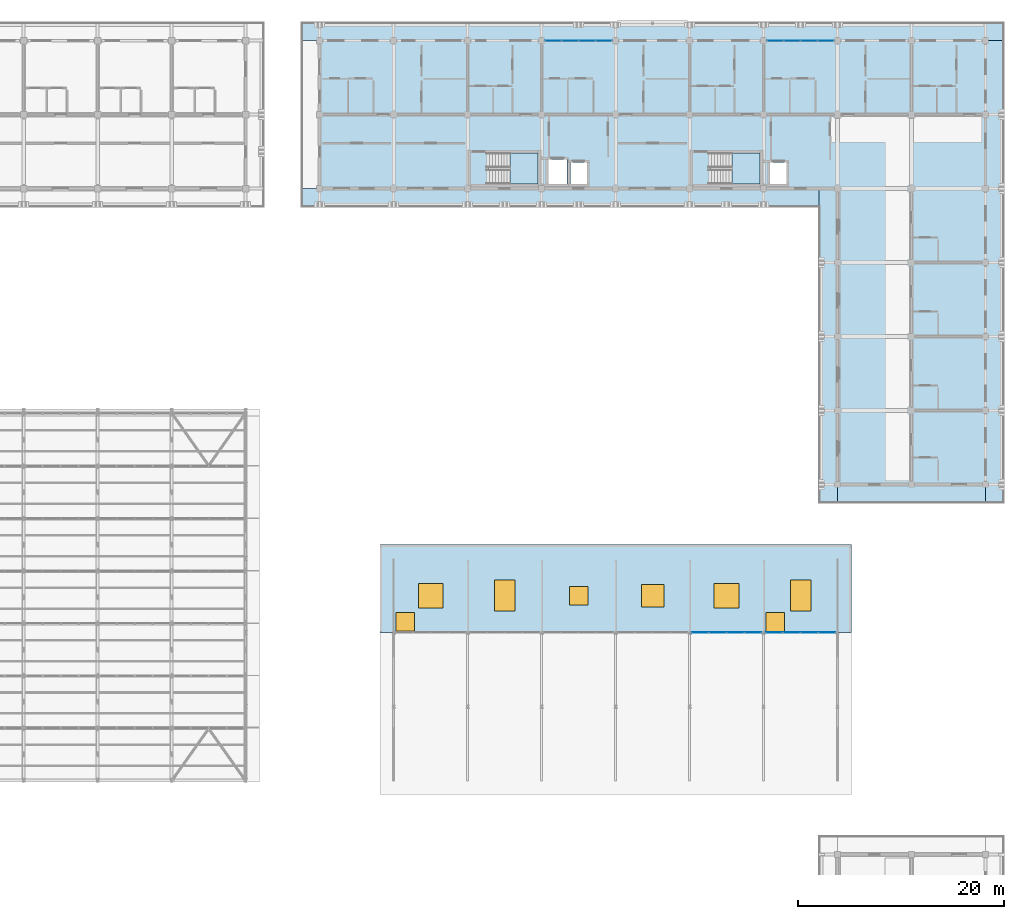
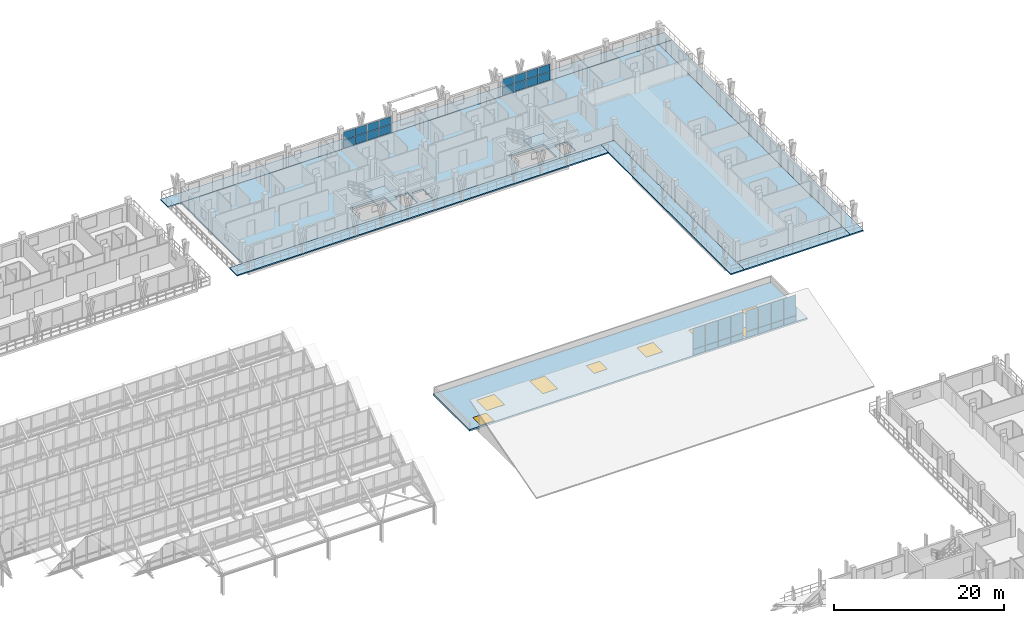
# One storey, part 106 of 157: 32 plates, 9 slabs, 8 windows, 8 openings, 6 elements without a shape of their own.
"""IFC4 building model written with IfcOpenShell, lengths in metres."""

import ifcopenshell
import ifcopenshell.guid

model = None  # the IFC model being written
_history = None  # IfcOwnerHistory: only IFC2X3 demands one
_inside = {}  # id of a spatial element -> (the spatial element, [elements in it])
_under = {}  # id of a project, library or spatial element -> (it, [spatial elements below it])
_declared = {}  # id of a project -> (the project, [libraries it declares])
_typed = {}  # id of a type object -> (the type object, [elements of that type])
_made_of = {}  # id of a material, layer set ... -> (it, [elements and type objects made of it])


def new_model(schema):
    """Start an empty IFC model of exactly this schema.

    Asked for "IFC4X3", IfcOpenShell would pick the latest addendum, in which some entities
    have other attributes; the version numbers below select the first issue.
    IFC2X3 requires an IfcOwnerHistory on every rooted entity: one is made here for all.
    """
    global model, _history
    if schema == "IFC4X3":
        model = ifcopenshell.file(schema_version=(4, 3, 0, 0))
    else:
        model = ifcopenshell.file(schema=schema)
    _inside.clear()
    _under.clear()
    _declared.clear()
    _typed.clear()
    _made_of.clear()
    _history = None
    if model.schema == "IFC2X3":
        org = make("IfcOrganization", Name="unknown")
        user = make(
            "IfcPersonAndOrganization",
            ThePerson=make("IfcPerson", FamilyName="unknown"),
            TheOrganization=org,
        )
        app = make(
            "IfcApplication",
            ApplicationDeveloper=org,
            Version="unknown",
            ApplicationFullName="unknown",
            ApplicationIdentifier="unknown",
        )
        _history = make(
            "IfcOwnerHistory",
            OwningUser=user,
            OwningApplication=app,
            ChangeAction="ADDED",
            CreationDate=0,
        )
    return model


def make(cls, **values):
    """One entity of the class cls with the attributes given. An attribute that is None is left unset."""
    return model.create_entity(
        cls, **{name: value for name, value in values.items() if value is not None}
    )


def rooted(cls, **values):
    """An entity with a GlobalId (a new one), such as an element, a storey or a relation."""
    return make(cls, GlobalId=ifcopenshell.guid.new(), OwnerHistory=_history, **values)


def si_unit(unit_type, name, prefix=None):
    """IfcSIUnit, for example si_unit("LENGTHUNIT", "METRE", prefix="MILLI")."""
    return make("IfcSIUnit", UnitType=unit_type, Prefix=prefix, Name=name)


def assignment(units):
    """IfcUnitAssignment: the units of a project."""
    return None if units is None else make("IfcUnitAssignment", Units=units)


def point(xyz):
    """IfcCartesianPoint."""
    return None if xyz is None else make("IfcCartesianPoint", Coordinates=xyz)


def direction(xyz):
    """IfcDirection."""
    return None if xyz is None else make("IfcDirection", DirectionRatios=xyz)


def frame(location, z_axis=None, x_axis=None):
    """IfcAxis2Placement3D, a coordinate frame: its origin and axes. An axis left out is left unset."""
    return make(
        "IfcAxis2Placement3D",
        Location=point(location),
        Axis=direction(z_axis),
        RefDirection=direction(x_axis),
    )


def frame_2d(location, x_axis=None):
    """IfcAxis2Placement2D, a coordinate frame in the plane: its origin and x axis."""
    return make(
        "IfcAxis2Placement2D", Location=point(location), RefDirection=direction(x_axis)
    )


def origin():
    """The frame at (0, 0, 0) with its axes left unset."""
    return frame((0.0, 0.0, 0.0))


def origin_2d():
    """The frame at (0, 0) in the plane with its x axis left unset."""
    return frame_2d((0.0, 0.0))


def place(relative_to, where):
    """IfcLocalPlacement: puts the frame where relative to a parent placement (None: the world)."""
    return make(
        "IfcLocalPlacement", PlacementRelTo=relative_to, RelativePlacement=where
    )


def context(
    kind, dimensions, precision=None, world=None, true_north=None, identifier=None
):
    """IfcGeometricRepresentationContext, for example the 3D "Model" context."""
    return make(
        "IfcGeometricRepresentationContext",
        ContextIdentifier=identifier,
        ContextType=kind,
        CoordinateSpaceDimension=dimensions,
        Precision=precision,
        WorldCoordinateSystem=world,
        TrueNorth=true_north,
    )


def subcontext(parent, identifier, kind, view, scale=None):
    """IfcGeometricRepresentationSubContext, for example "Body" below "Model"."""
    return make(
        "IfcGeometricRepresentationSubContext",
        ContextIdentifier=identifier,
        ContextType=kind,
        ParentContext=parent,
        TargetScale=scale,
        TargetView=view,
    )


def project(units=None, contexts=None):
    """IfcProject with its units and contexts."""
    return rooted(
        "IfcProject",
        Name="project",
        RepresentationContexts=contexts,
        UnitsInContext=assignment(units),
    )


def spatial(cls, under=None, at=None, **own):
    """A site, building, storey or space (cls), placed at a placement, below another one or the project."""
    s = rooted(cls, ObjectPlacement=at, **own)
    if under is not None:
        _under.setdefault(under.id(), (under, []))[1].append(s)
    return s


def polyline(points):
    """IfcPolyline through the points."""
    return make("IfcPolyline", Points=[point(p) for p in points])


def profile(cls, at=None, kind="AREA", **sizes):
    """A parametric profile (cls). Its sizes go by their IFC names, for example OverallWidth=200.0."""
    return make(cls, ProfileType=kind, Position=at, **sizes)


def rectangle(**sizes):
    """IfcRectangleProfileDef."""
    return profile("IfcRectangleProfileDef", **sizes)


def outline(outer, holes=None, kind="AREA"):
    """IfcArbitraryClosedProfileDef: a profile drawn as a closed curve; with holes, ...WithVoids."""
    if holes is None:
        return make("IfcArbitraryClosedProfileDef", ProfileType=kind, OuterCurve=outer)
    return make(
        "IfcArbitraryProfileDefWithVoids",
        ProfileType=kind,
        OuterCurve=outer,
        InnerCurves=holes,
    )


def extrude(swept, where, along, depth):
    """IfcExtrudedAreaSolid: the profile swept, set in the frame where, extruded along a direction by depth."""
    return make(
        "IfcExtrudedAreaSolid",
        SweptArea=swept,
        Position=where,
        ExtrudedDirection=direction(along),
        Depth=depth,
    )


def shape(context_of_items, identifier, shape_type, items):
    """IfcShapeRepresentation: the items that make up one representation, for example the "Body"."""
    return make(
        "IfcShapeRepresentation",
        ContextOfItems=context_of_items,
        RepresentationIdentifier=identifier,
        RepresentationType=shape_type,
        Items=items,
    )


def material(Name=None, Category=None):
    """IfcMaterial."""
    return make("IfcMaterial", Name=Name, Category=Category)


def layer(
    of_material, thickness, ventilated=None, Name=None, Category=None, Priority=None
):
    """IfcMaterialLayer: one layer of a wall or slab, of a material (None: an air gap)."""
    return make(
        "IfcMaterialLayer",
        Material=of_material,
        LayerThickness=thickness,
        IsVentilated=ventilated,
        Name=Name,
        Category=Category,
        Priority=Priority,
    )


def layer_set(layers, Name=None):
    """IfcMaterialLayerSet."""
    return make("IfcMaterialLayerSet", MaterialLayers=layers, LayerSetName=Name)


def made_of(thing, what):
    """Note that an element or type object is made of a material, layer set ...; save() writes the relation."""
    if what is not None:
        _made_of.setdefault(what.id(), (what, []))[1].append(thing)
    return thing


def type_object(cls, material=None, **own):
    """A type object (cls), such as IfcWallType, which elements share."""
    return made_of(rooted(cls, **own), material)


def element(
    cls,
    number,
    at=None,
    inside=None,
    cuts=None,
    type_object=None,
    material=None,
    context=None,
    identifier="Body",
    shape_type=None,
    held_by="IfcProductDefinitionShape",
    body=None,
    shapes=None,
    **own,
):
    """One element of the class cls, such as IfcWall. Its Tag is "e" and its number.

    at: its placement. inside: the storey or other place that contains it. cuts: it is an
    opening in that element (IfcRelVoidsElement). A single representation is given by context,
    identifier, shape_type and body (its items); several are given by shapes. held_by: the class
    of the entity that holds the representations. save() writes the other relations.
    """
    e = rooted(cls, Tag="e%d" % number, ObjectPlacement=at, **own)
    if body is not None:
        shapes = [shape(context, identifier, shape_type, body)]
    if shapes is not None:
        e.Representation = make(held_by, Representations=shapes)
    if inside is not None:
        _inside.setdefault(inside.id(), (inside, []))[1].append(e)
    if cuts is not None:
        rooted(
            "IfcRelVoidsElement", RelatingBuildingElement=cuts, RelatedOpeningElement=e
        )
    if type_object is not None:
        _typed.setdefault(type_object.id(), (type_object, []))[1].append(e)
    return made_of(e, material)


def fill(opening, filler):
    """IfcRelFillsElement: the door or window that sits in an opening."""
    return rooted(
        "IfcRelFillsElement",
        RelatingOpeningElement=opening,
        RelatedBuildingElement=filler,
    )


def aggregate(whole, parts):
    """IfcRelAggregates: a whole, such as a stair, and the parts it consists of."""
    return rooted("IfcRelAggregates", RelatingObject=whole, RelatedObjects=parts)


def save(model, path):
    """Write the relations noted so far, then the file.

    IfcRelAggregates (storeys below a building ...), IfcRelContainedInSpatialStructure (elements
    in a storey), IfcRelDefinesByType, IfcRelAssociatesMaterial and IfcRelDeclares: one each for
    every whole, place, type object, material and project.
    """
    for whole, parts in _under.values():
        aggregate(whole, parts)
    for where, things in _inside.values():
        rooted(
            "IfcRelContainedInSpatialStructure",
            RelatedElements=things,
            RelatingStructure=where,
        )
    for kind, things in _typed.values():
        rooted("IfcRelDefinesByType", RelatedObjects=things, RelatingType=kind)
    for what, things in _made_of.values():
        rooted("IfcRelAssociatesMaterial", RelatedObjects=things, RelatingMaterial=what)
    for by, libraries in _declared.values():
        rooted("IfcRelDeclares", RelatingContext=by, RelatedDefinitions=libraries)
    model.write(path)


model = new_model("IFC4")

# Units and contexts
model_context = context("Model", 3, precision=1e-05, world=origin(), true_north=direction((0.0, 1.0)))
body_context = subcontext(model_context, "Body", "Model", "MODEL_VIEW")
ifc_project = project(units=[si_unit("LENGTHUNIT", "METRE"), si_unit("AREAUNIT", "SQUARE_METRE"), si_unit("VOLUMEUNIT", "CUBIC_METRE"), si_unit("PLANEANGLEUNIT", "RADIAN"), si_unit("MASSUNIT", "GRAM", prefix="KILO")], contexts=[model_context])

# Site, building, storey
site_placement = place(None, origin())
site = spatial("IfcSite", under=ifc_project, at=site_placement, CompositionType="ELEMENT")
building_placement = place(site_placement, origin())
building = spatial("IfcBuilding", under=site, at=building_placement, Name="Suanplinth Sawtooth Commons", CompositionType="ELEMENT")
storey_placement = place(building_placement, frame((0.0, 0.0, 9.0)))
storey = spatial("IfcBuildingStorey", under=building, at=storey_placement, Name="L02", CompositionType="ELEMENT", Elevation=9.0)

# Curtain wall, plates
ifc_material_1 = material(Name="Anodized aluminium and low-E glazing", Category="aluminium")
curtain_wall_type_1 = type_object("IfcCurtainWallType", Name="CW-06", PredefinedType="USERDEFINED", material=ifc_material_1)
curtain_wall_1_placement = place(storey_placement, origin())
curtain_wall_1 = element("IfcCurtainWall", 1, at=curtain_wall_1_placement, inside=storey, type_object=curtain_wall_type_1, Name="Curtain Wall CW-L02-B-LOUNGE-20", ObjectType="CURTAIN WALL", PredefinedType="USERDEFINED")
ifc_material_2 = material(Name="Tempered low-E double glazing", Category="glass")
ifc_layer_1 = layer(ifc_material_2, 0.028076171875, Name="Vision low-E insulated glazing unit 28mm")
ifc_layer_set_1 = layer_set([ifc_layer_1], Name="Tempered low-E double glazing")
plate_type_1 = type_object("IfcPlateType", Name="PL-05", PredefinedType="CURTAIN_PANEL", material=ifc_layer_set_1)
plate_1_placement = place(storey_placement, frame((145.141357421875, 122.39990234375, 0.06494140625), z_axis=(0.0, 0.0, 1.0), x_axis=(1.0, 0.0, 0.0)))
plate_1 = element("IfcPlate", 2, at=plate_1_placement, type_object=plate_type_1, Name="CW-06 panel 1.1", PredefinedType="CURTAIN_PANEL", context=body_context, shape_type="SweptSolid", body=[
    extrude(rectangle(XDim=1.552490234375, YDim=0.028076171875, at=origin_2d()), origin(), (0.0, 0.0, 1.0), 1.12255859375),
])
plate_2_placement = place(storey_placement, frame((145.141357421875, 122.39990234375, 1.25244140625), z_axis=(0.0, 0.0, 1.0), x_axis=(1.0, 0.0, 0.0)))
plate_2 = element("IfcPlate", 3, at=plate_2_placement, type_object=plate_type_1, Name="CW-06 panel 1.2", PredefinedType="CURTAIN_PANEL", context=body_context, shape_type="SweptSolid", body=[
    extrude(rectangle(XDim=1.552490234375, YDim=0.028076171875, at=origin_2d()), origin(), (0.0, 0.0, 1.0), 1.12255859375),
])
plate_3_placement = place(storey_placement, frame((146.77490234375, 122.39990234375, 0.06494140625), z_axis=(0.0, 0.0, 1.0), x_axis=(1.0, 0.0, 0.0)))
plate_3 = element("IfcPlate", 4, at=plate_3_placement, type_object=plate_type_1, Name="CW-06 panel 2.1", PredefinedType="CURTAIN_PANEL", context=body_context, shape_type="SweptSolid", body=[
    extrude(rectangle(XDim=1.5849609375, YDim=0.028076171875, at=origin_2d()), origin(), (0.0, 0.0, 1.0), 1.12255859375),
])
plate_4_placement = place(storey_placement, frame((146.77490234375, 122.39990234375, 1.25244140625), z_axis=(0.0, 0.0, 1.0), x_axis=(1.0, 0.0, 0.0)))
plate_4 = element("IfcPlate", 5, at=plate_4_placement, type_object=plate_type_1, Name="CW-06 panel 2.2", PredefinedType="CURTAIN_PANEL", context=body_context, shape_type="SweptSolid", body=[
    extrude(rectangle(XDim=1.5849609375, YDim=0.028076171875, at=origin_2d()), origin(), (0.0, 0.0, 1.0), 1.12255859375),
])
plate_5_placement = place(storey_placement, frame((148.425048828125, 122.39990234375, 0.06494140625), z_axis=(0.0, 0.0, 1.0), x_axis=(1.0, 0.0, 0.0)))
plate_5 = element("IfcPlate", 6, at=plate_5_placement, type_object=plate_type_1, Name="CW-06 panel 3.1", PredefinedType="CURTAIN_PANEL", context=body_context, shape_type="SweptSolid", body=[
    extrude(rectangle(XDim=1.5849609375, YDim=0.028076171875, at=origin_2d()), origin(), (0.0, 0.0, 1.0), 1.12255859375),
])
plate_6_placement = place(storey_placement, frame((148.425048828125, 122.39990234375, 1.25244140625), z_axis=(0.0, 0.0, 1.0), x_axis=(1.0, 0.0, 0.0)))
plate_6 = element("IfcPlate", 7, at=plate_6_placement, type_object=plate_type_1, Name="CW-06 panel 3.2", PredefinedType="CURTAIN_PANEL", context=body_context, shape_type="SweptSolid", body=[
    extrude(rectangle(XDim=1.5849609375, YDim=0.028076171875, at=origin_2d()), origin(), (0.0, 0.0, 1.0), 1.12255859375),
])
plate_7_placement = place(storey_placement, frame((150.058837890625, 122.39990234375, 0.06494140625), z_axis=(0.0, 0.0, 1.0), x_axis=(1.0, 0.0, 0.0)))
plate_7 = element("IfcPlate", 8, at=plate_7_placement, type_object=plate_type_1, Name="CW-06 panel 4.1", PredefinedType="CURTAIN_PANEL", context=body_context, shape_type="SweptSolid", body=[
    extrude(rectangle(XDim=1.552490234375, YDim=0.028076171875, at=origin_2d()), origin(), (0.0, 0.0, 1.0), 1.12255859375),
])
plate_8_placement = place(storey_placement, frame((150.058837890625, 122.39990234375, 1.25244140625), z_axis=(0.0, 0.0, 1.0), x_axis=(1.0, 0.0, 0.0)))
plate_8 = element("IfcPlate", 9, at=plate_8_placement, type_object=plate_type_1, Name="CW-06 panel 4.2", PredefinedType="CURTAIN_PANEL", context=body_context, shape_type="SweptSolid", body=[
    extrude(rectangle(XDim=1.552490234375, YDim=0.028076171875, at=origin_2d()), origin(), (0.0, 0.0, 1.0), 1.12255859375),
])
aggregate(curtain_wall_1, [plate_1, plate_2, plate_3, plate_4, plate_5, plate_6, plate_7, plate_8])

curtain_wall_2_placement = place(storey_placement, origin())
curtain_wall_2 = element("IfcCurtainWall", 10, at=curtain_wall_2_placement, inside=storey, type_object=curtain_wall_type_1, Name="Curtain Wall CW-L02-B-LOUNGE-23", ObjectType="CURTAIN WALL", PredefinedType="USERDEFINED")
plate_9_placement = place(storey_placement, frame((166.7412109375, 122.39990234375, 0.06494140625), z_axis=(0.0, 0.0, 1.0), x_axis=(1.0, 0.0, 0.0)))
plate_9 = element("IfcPlate", 11, at=plate_9_placement, type_object=plate_type_1, Name="CW-06 panel 1.1", PredefinedType="CURTAIN_PANEL", context=body_context, shape_type="SweptSolid", body=[
    extrude(rectangle(XDim=1.552490234375, YDim=0.028076171875, at=origin_2d()), origin(), (0.0, 0.0, 1.0), 1.12255859375),
])
plate_10_placement = place(storey_placement, frame((166.7412109375, 122.39990234375, 1.25244140625), z_axis=(0.0, 0.0, 1.0), x_axis=(1.0, 0.0, 0.0)))
plate_10 = element("IfcPlate", 12, at=plate_10_placement, type_object=plate_type_1, Name="CW-06 panel 1.2", PredefinedType="CURTAIN_PANEL", context=body_context, shape_type="SweptSolid", body=[
    extrude(rectangle(XDim=1.552490234375, YDim=0.028076171875, at=origin_2d()), origin(), (0.0, 0.0, 1.0), 1.12255859375),
])
plate_11_placement = place(storey_placement, frame((168.375, 122.39990234375, 0.06494140625), z_axis=(0.0, 0.0, 1.0), x_axis=(1.0, 0.0, 0.0)))
plate_11 = element("IfcPlate", 13, at=plate_11_placement, type_object=plate_type_1, Name="CW-06 panel 2.1", PredefinedType="CURTAIN_PANEL", context=body_context, shape_type="SweptSolid", body=[
    extrude(rectangle(XDim=1.5849609375, YDim=0.028076171875, at=origin_2d()), origin(), (0.0, 0.0, 1.0), 1.12255859375),
])
plate_12_placement = place(storey_placement, frame((168.375, 122.39990234375, 1.25244140625), z_axis=(0.0, 0.0, 1.0), x_axis=(1.0, 0.0, 0.0)))
plate_12 = element("IfcPlate", 14, at=plate_12_placement, type_object=plate_type_1, Name="CW-06 panel 2.2", PredefinedType="CURTAIN_PANEL", context=body_context, shape_type="SweptSolid", body=[
    extrude(rectangle(XDim=1.5849609375, YDim=0.028076171875, at=origin_2d()), origin(), (0.0, 0.0, 1.0), 1.12255859375),
])
plate_13_placement = place(storey_placement, frame((170.02490234375, 122.39990234375, 0.06494140625), z_axis=(0.0, 0.0, 1.0), x_axis=(1.0, 0.0, 0.0)))
plate_13 = element("IfcPlate", 15, at=plate_13_placement, type_object=plate_type_1, Name="CW-06 panel 3.1", PredefinedType="CURTAIN_PANEL", context=body_context, shape_type="SweptSolid", body=[
    extrude(rectangle(XDim=1.5849609375, YDim=0.028076171875, at=origin_2d()), origin(), (0.0, 0.0, 1.0), 1.12255859375),
])
plate_14_placement = place(storey_placement, frame((170.02490234375, 122.39990234375, 1.25244140625), z_axis=(0.0, 0.0, 1.0), x_axis=(1.0, 0.0, 0.0)))
plate_14 = element("IfcPlate", 16, at=plate_14_placement, type_object=plate_type_1, Name="CW-06 panel 3.2", PredefinedType="CURTAIN_PANEL", context=body_context, shape_type="SweptSolid", body=[
    extrude(rectangle(XDim=1.5849609375, YDim=0.028076171875, at=origin_2d()), origin(), (0.0, 0.0, 1.0), 1.12255859375),
])
plate_15_placement = place(storey_placement, frame((171.65869140625, 122.39990234375, 0.06494140625), z_axis=(0.0, 0.0, 1.0), x_axis=(1.0, 0.0, 0.0)))
plate_15 = element("IfcPlate", 17, at=plate_15_placement, type_object=plate_type_1, Name="CW-06 panel 4.1", PredefinedType="CURTAIN_PANEL", context=body_context, shape_type="SweptSolid", body=[
    extrude(rectangle(XDim=1.552490234375, YDim=0.028076171875, at=origin_2d()), origin(), (0.0, 0.0, 1.0), 1.12255859375),
])
plate_16_placement = place(storey_placement, frame((171.65869140625, 122.39990234375, 1.25244140625), z_axis=(0.0, 0.0, 1.0), x_axis=(1.0, 0.0, 0.0)))
plate_16 = element("IfcPlate", 18, at=plate_16_placement, type_object=plate_type_1, Name="CW-06 panel 4.2", PredefinedType="CURTAIN_PANEL", context=body_context, shape_type="SweptSolid", body=[
    extrude(rectangle(XDim=1.552490234375, YDim=0.028076171875, at=origin_2d()), origin(), (0.0, 0.0, 1.0), 1.12255859375),
])
aggregate(curtain_wall_2, [plate_9, plate_10, plate_11, plate_12, plate_13, plate_14, plate_15, plate_16])

curtain_wall_type_2 = type_object("IfcCurtainWallType", Name="CW-03", PredefinedType="USERDEFINED", material=ifc_material_1)
curtain_wall_3_placement = place(storey_placement, origin())
curtain_wall_3 = element("IfcCurtainWall", 19, at=curtain_wall_3_placement, inside=storey, type_object=curtain_wall_type_2, Name="Curtain Wall CW-NURS-CLER-22", ObjectType="CURTAIN WALL", PredefinedType="USERDEFINED")
ifc_material_3 = material(Name="Diffused north-light laminated glazing", Category="glass")
ifc_layer_2 = layer(ifc_material_3, 0.02587890625, Name="Sawtooth north-light diffused glazing panel 26mm")
ifc_layer_set_2 = layer_set([ifc_layer_2], Name="Diffused north-light laminated glazing")
plate_type_2 = type_object("IfcPlateType", Name="PL-07", PredefinedType="CURTAIN_PANEL", material=ifc_layer_set_2)
plate_17_placement = place(storey_placement, frame((159.421142578125, 64.800048828125, 0.30517578125), z_axis=(0.0, 0.0, 1.0), x_axis=(1.0, 0.0, 0.0)))
plate_17 = element("IfcPlate", 20, at=plate_17_placement, type_object=plate_type_2, Name="CW-03 panel 1.1", PredefinedType="CURTAIN_PANEL", context=body_context, shape_type="SweptSolid", body=[
    extrude(rectangle(XDim=1.632568359375, YDim=0.02587890625, at=origin_2d()), origin(), (0.0, 0.0, 1.0), 0.802490234375),
])
plate_18_placement = place(storey_placement, frame((159.421142578125, 64.800048828125, 1.172607421875), z_axis=(0.0, 0.0, 1.0), x_axis=(1.0, 0.0, 0.0)))
plate_18 = element("IfcPlate", 21, at=plate_18_placement, type_object=plate_type_2, Name="CW-03 panel 1.2", PredefinedType="CURTAIN_PANEL", context=body_context, shape_type="SweptSolid", body=[
    extrude(rectangle(XDim=1.632568359375, YDim=0.02587890625, at=origin_2d()), origin(), (0.0, 0.0, 1.0), 2.96240234375),
])
plate_19_placement = place(storey_placement, frame((161.135009765625, 64.800048828125, 0.30517578125), z_axis=(0.0, 0.0, 1.0), x_axis=(1.0, 0.0, 0.0)))
plate_19 = element("IfcPlate", 22, at=plate_19_placement, type_object=plate_type_2, Name="CW-03 panel 2.1", PredefinedType="CURTAIN_PANEL", context=body_context, shape_type="SweptSolid", body=[
    extrude(rectangle(XDim=1.6650390625, YDim=0.02587890625, at=origin_2d()), origin(), (0.0, 0.0, 1.0), 0.802490234375),
])
plate_20_placement = place(storey_placement, frame((161.135009765625, 64.800048828125, 1.172607421875), z_axis=(0.0, 0.0, 1.0), x_axis=(1.0, 0.0, 0.0)))
plate_20 = element("IfcPlate", 23, at=plate_20_placement, type_object=plate_type_2, Name="CW-03 panel 2.2", PredefinedType="CURTAIN_PANEL", context=body_context, shape_type="SweptSolid", body=[
    extrude(rectangle(XDim=1.6650390625, YDim=0.02587890625, at=origin_2d()), origin(), (0.0, 0.0, 1.0), 2.96240234375),
])
plate_21_placement = place(storey_placement, frame((162.864990234375, 64.800048828125, 0.30517578125), z_axis=(0.0, 0.0, 1.0), x_axis=(1.0, 0.0, 0.0)))
plate_21 = element("IfcPlate", 24, at=plate_21_placement, type_object=plate_type_2, Name="CW-03 panel 3.1", PredefinedType="CURTAIN_PANEL", context=body_context, shape_type="SweptSolid", body=[
    extrude(rectangle(XDim=1.6650390625, YDim=0.02587890625, at=origin_2d()), origin(), (0.0, 0.0, 1.0), 0.802490234375),
])
plate_22_placement = place(storey_placement, frame((162.864990234375, 64.800048828125, 1.172607421875), z_axis=(0.0, 0.0, 1.0), x_axis=(1.0, 0.0, 0.0)))
plate_22 = element("IfcPlate", 25, at=plate_22_placement, type_object=plate_type_2, Name="CW-03 panel 3.2", PredefinedType="CURTAIN_PANEL", context=body_context, shape_type="SweptSolid", body=[
    extrude(rectangle(XDim=1.6650390625, YDim=0.02587890625, at=origin_2d()), origin(), (0.0, 0.0, 1.0), 2.96240234375),
])
plate_23_placement = place(storey_placement, frame((164.578857421875, 64.800048828125, 0.30517578125), z_axis=(0.0, 0.0, 1.0), x_axis=(1.0, 0.0, 0.0)))
plate_23 = element("IfcPlate", 26, at=plate_23_placement, type_object=plate_type_2, Name="CW-03 panel 4.1", PredefinedType="CURTAIN_PANEL", context=body_context, shape_type="SweptSolid", body=[
    extrude(rectangle(XDim=1.632568359375, YDim=0.02587890625, at=origin_2d()), origin(), (0.0, 0.0, 1.0), 0.802490234375),
])
plate_24_placement = place(storey_placement, frame((164.578857421875, 64.800048828125, 1.172607421875), z_axis=(0.0, 0.0, 1.0), x_axis=(1.0, 0.0, 0.0)))
plate_24 = element("IfcPlate", 27, at=plate_24_placement, type_object=plate_type_2, Name="CW-03 panel 4.2", PredefinedType="CURTAIN_PANEL", context=body_context, shape_type="SweptSolid", body=[
    extrude(rectangle(XDim=1.632568359375, YDim=0.02587890625, at=origin_2d()), origin(), (0.0, 0.0, 1.0), 2.96240234375),
])
aggregate(curtain_wall_3, [plate_17, plate_18, plate_19, plate_20, plate_21, plate_22, plate_23, plate_24])

curtain_wall_4_placement = place(storey_placement, origin())
curtain_wall_4 = element("IfcCurtainWall", 28, at=curtain_wall_4_placement, inside=storey, type_object=curtain_wall_type_2, Name="Curtain Wall CW-NURS-CLER-23", ObjectType="CURTAIN WALL", PredefinedType="USERDEFINED")
plate_25_placement = place(storey_placement, frame((166.621337890625, 64.800048828125, 0.30517578125), z_axis=(0.0, 0.0, 1.0), x_axis=(1.0, 0.0, 0.0)))
plate_25 = element("IfcPlate", 29, at=plate_25_placement, type_object=plate_type_2, Name="CW-03 panel 1.1", PredefinedType="CURTAIN_PANEL", context=body_context, shape_type="SweptSolid", body=[
    extrude(rectangle(XDim=1.632568359375, YDim=0.02587890625, at=origin_2d()), origin(), (0.0, 0.0, 1.0), 0.802490234375),
])
plate_26_placement = place(storey_placement, frame((166.621337890625, 64.800048828125, 1.172607421875), z_axis=(0.0, 0.0, 1.0), x_axis=(1.0, 0.0, 0.0)))
plate_26 = element("IfcPlate", 30, at=plate_26_placement, type_object=plate_type_2, Name="CW-03 panel 1.2", PredefinedType="CURTAIN_PANEL", context=body_context, shape_type="SweptSolid", body=[
    extrude(rectangle(XDim=1.632568359375, YDim=0.02587890625, at=origin_2d()), origin(), (0.0, 0.0, 1.0), 2.96240234375),
])
plate_27_placement = place(storey_placement, frame((168.3349609375, 64.800048828125, 0.30517578125), z_axis=(0.0, 0.0, 1.0), x_axis=(1.0, 0.0, 0.0)))
plate_27 = element("IfcPlate", 31, at=plate_27_placement, type_object=plate_type_2, Name="CW-03 panel 2.1", PredefinedType="CURTAIN_PANEL", context=body_context, shape_type="SweptSolid", body=[
    extrude(rectangle(XDim=1.6650390625, YDim=0.02587890625, at=origin_2d()), origin(), (0.0, 0.0, 1.0), 0.802490234375),
])
plate_28_placement = place(storey_placement, frame((168.3349609375, 64.800048828125, 1.172607421875), z_axis=(0.0, 0.0, 1.0), x_axis=(1.0, 0.0, 0.0)))
plate_28 = element("IfcPlate", 32, at=plate_28_placement, type_object=plate_type_2, Name="CW-03 panel 2.2", PredefinedType="CURTAIN_PANEL", context=body_context, shape_type="SweptSolid", body=[
    extrude(rectangle(XDim=1.6650390625, YDim=0.02587890625, at=origin_2d()), origin(), (0.0, 0.0, 1.0), 2.96240234375),
])
plate_29_placement = place(storey_placement, frame((170.06494140625, 64.800048828125, 0.30517578125), z_axis=(0.0, 0.0, 1.0), x_axis=(1.0, 0.0, 0.0)))
plate_29 = element("IfcPlate", 33, at=plate_29_placement, type_object=plate_type_2, Name="CW-03 panel 3.1", PredefinedType="CURTAIN_PANEL", context=body_context, shape_type="SweptSolid", body=[
    extrude(rectangle(XDim=1.6650390625, YDim=0.02587890625, at=origin_2d()), origin(), (0.0, 0.0, 1.0), 0.802490234375),
])
plate_30_placement = place(storey_placement, frame((170.06494140625, 64.800048828125, 1.172607421875), z_axis=(0.0, 0.0, 1.0), x_axis=(1.0, 0.0, 0.0)))
plate_30 = element("IfcPlate", 34, at=plate_30_placement, type_object=plate_type_2, Name="CW-03 panel 3.2", PredefinedType="CURTAIN_PANEL", context=body_context, shape_type="SweptSolid", body=[
    extrude(rectangle(XDim=1.6650390625, YDim=0.02587890625, at=origin_2d()), origin(), (0.0, 0.0, 1.0), 2.96240234375),
])
plate_31_placement = place(storey_placement, frame((171.77880859375, 64.800048828125, 0.30517578125), z_axis=(0.0, 0.0, 1.0), x_axis=(1.0, 0.0, 0.0)))
plate_31 = element("IfcPlate", 35, at=plate_31_placement, type_object=plate_type_2, Name="CW-03 panel 4.1", PredefinedType="CURTAIN_PANEL", context=body_context, shape_type="SweptSolid", body=[
    extrude(rectangle(XDim=1.632568359375, YDim=0.02587890625, at=origin_2d()), origin(), (0.0, 0.0, 1.0), 0.802490234375),
])
plate_32_placement = place(storey_placement, frame((171.77880859375, 64.800048828125, 1.172607421875), z_axis=(0.0, 0.0, 1.0), x_axis=(1.0, 0.0, 0.0)))
plate_32 = element("IfcPlate", 36, at=plate_32_placement, type_object=plate_type_2, Name="CW-03 panel 4.2", PredefinedType="CURTAIN_PANEL", context=body_context, shape_type="SweptSolid", body=[
    extrude(rectangle(XDim=1.632568359375, YDim=0.02587890625, at=origin_2d()), origin(), (0.0, 0.0, 1.0), 2.96240234375),
])
aggregate(curtain_wall_4, [plate_25, plate_26, plate_27, plate_28, plate_29, plate_30, plate_31, plate_32])

# Slabs
ifc_material_4 = material(Name="Precast concrete C40/50", Category="concrete")
ifc_layer_3 = layer(ifc_material_4, 0.179931640625, Name="Wrap-around cantilevered precast balcony slab 180mm")
ifc_layer_set_3 = layer_set([ifc_layer_3], Name="Precast concrete C40/50")
slab_type_1 = type_object("IfcSlabType", Name="S-BL01", PredefinedType="FLOOR", material=ifc_layer_set_3)
slab_1_placement = place(storey_placement, frame((0.0, 0.0, -0.179931640625)))
element("IfcSlab", 37, at=slab_1_placement, inside=storey, type_object=slab_type_1, Name="L02 Block B Wrap-Around Balcony N", PredefinedType="FLOOR", context=body_context, shape_type="SweptSolid", body=[
    extrude(outline(polyline([(120.60009765625, 122.39990234375), (120.60009765625, 124.199951171875), (189.0, 124.199951171875), (189.0, 122.39990234375), (120.60009765625, 122.39990234375)])), origin(), (0.0, 0.0, 1.0), 0.179931640625),
])
slab_2_placement = place(storey_placement, frame((0.0, 0.0, -0.179931640625)))
element("IfcSlab", 38, at=slab_2_placement, inside=storey, type_object=slab_type_1, Name="L02 Block B Wrap-Around Balcony E", PredefinedType="FLOOR", context=body_context, shape_type="SweptSolid", body=[
    extrude(outline(polyline([(189.0, 122.39990234375), (189.0, 77.39990234375), (187.199951171875, 77.39990234375), (187.199951171875, 122.39990234375), (189.0, 122.39990234375)])), origin(), (0.0, 0.0, 1.0), 0.179931640625),
])
slab_3_placement = place(storey_placement, frame((0.0, 0.0, -0.179931640625)))
element("IfcSlab", 39, at=slab_3_placement, inside=storey, type_object=slab_type_1, Name="L02 Block B Wrap-Around Balcony SEND", PredefinedType="FLOOR", context=body_context, shape_type="SweptSolid", body=[
    extrude(outline(polyline([(187.199951171875, 77.39990234375), (172.800048828125, 77.39990234375), (172.800048828125, 79.199951171875), (187.199951171875, 79.199951171875), (187.199951171875, 77.39990234375)])), origin(), (0.0, 0.0, 1.0), 0.179931640625),
])
ifc_layer_4 = layer(ifc_material_4, 0.175048828125, Name="Courtyard cantilevered precast balcony slab 175mm")
ifc_layer_set_4 = layer_set([ifc_layer_4], Name="Precast concrete C40/50")
slab_type_2 = type_object("IfcSlabType", Name="S-BL02", PredefinedType="FLOOR", material=ifc_layer_set_4)
slab_4_placement = place(storey_placement, frame((0.0, 0.0, -0.175048828125)))
element("IfcSlab", 40, at=slab_4_placement, inside=storey, type_object=slab_type_2, Name="L02 Block B Wrap-Around Balcony SC", PredefinedType="FLOOR", context=body_context, shape_type="SweptSolid", body=[
    extrude(outline(polyline([(171.0, 106.199951171875), (120.60009765625, 106.199951171875), (120.60009765625, 108.0), (171.0, 108.0), (171.0, 106.199951171875)])), origin(), (0.0, 0.0, 1.0), 0.175048828125),
])
slab_5_placement = place(storey_placement, frame((0.0, 0.0, -0.175048828125)))
element("IfcSlab", 41, at=slab_5_placement, inside=storey, type_object=slab_type_2, Name="L02 Block B Wrap-Around Balcony WC", PredefinedType="FLOOR", context=body_context, shape_type="SweptSolid", body=[
    extrude(outline(polyline([(172.800048828125, 77.39990234375), (171.0, 77.39990234375), (171.0, 108.0), (172.800048828125, 108.0), (172.800048828125, 77.39990234375)])), origin(), (0.0, 0.0, 1.0), 0.175048828125),
])
ifc_layer_5 = layer(ifc_material_4, 0.25, Name="Precast hollow-core + topping floor slab 250mm")
ifc_layer_set_5 = layer_set([ifc_layer_5], Name="Precast concrete C40/50")
slab_type_3 = type_object("IfcSlabType", Name="S-FL01", PredefinedType="FLOOR", material=ifc_layer_set_5)
slab_6_placement = place(storey_placement, frame((0.0, 0.0, -0.25)))
element("IfcSlab", 42, at=slab_6_placement, inside=storey, type_object=slab_type_3, Name="L02 Block B Structural Floor Plate", PredefinedType="FLOOR", context=body_context, shape_type="SweptSolid", body=[
    extrude(outline(polyline([(172.800048828125, 108.0), (122.39990234375, 108.0), (122.39990234375, 122.39990234375), (187.199951171875, 122.39990234375), (187.199951171875, 79.199951171875), (172.800048828125, 79.199951171875), (172.800048828125, 108.0)]), holes=[polyline([(138.889892578125, 108.449951171875), (143.64990234375, 108.449951171875), (143.64990234375, 111.449951171875), (138.889892578125, 111.449951171875), (138.889892578125, 108.449951171875)]), polyline([(144.64990234375, 108.449951171875), (146.449951171875, 108.449951171875), (146.449951171875, 110.85009765625), (144.64990234375, 110.85009765625), (144.64990234375, 108.449951171875)]), polyline([(146.800048828125, 108.449951171875), (148.39990234375, 108.449951171875), (148.39990234375, 110.550048828125), (146.800048828125, 110.550048828125), (146.800048828125, 108.449951171875)]), polyline([(160.489990234375, 108.449951171875), (165.25, 108.449951171875), (165.25, 111.449951171875), (160.489990234375, 111.449951171875), (160.489990234375, 108.449951171875)]), polyline([(166.25, 108.449951171875), (167.85009765625, 108.449951171875), (167.85009765625, 110.550048828125), (166.25, 110.550048828125), (166.25, 108.449951171875)])]), origin(), (0.0, 0.0, 1.0), 0.25),
])

# Stair, slab
ifc_material_5 = material(Name="Concrete C40/50", Category="concrete")
stair_type = type_object("IfcStairType", Name="ST-07", PredefinedType="USERDEFINED", material=ifc_material_5)
stair_1_placement = place(storey_placement, origin())
stair_1 = element("IfcStair", 43, at=stair_1_placement, inside=storey, type_object=stair_type, Name="L02 Exit Stair ST-E1", ObjectType="TWO_RETURN_STAIR", PredefinedType="USERDEFINED")
ifc_layer_6 = layer(ifc_material_5, 0.199951171875, Name="Reinforced concrete stair and ramp landing slab 200mm")
ifc_layer_set_6 = layer_set([ifc_layer_6], Name="Concrete C40/50")
slab_type_4 = type_object("IfcSlabType", Name="S-LD01", PredefinedType="LANDING", material=ifc_layer_set_6)
slab_7_placement = place(storey_placement, frame((0.0, 0.0, 1.39990234375)))
slab_7 = element("IfcSlab", 44, at=slab_7_placement, type_object=slab_type_4, Name="ST-07 landing 1", PredefinedType="LANDING", context=body_context, shape_type="SweptSolid", body=[
    extrude(outline(polyline([(140.929931640625, 108.449951171875), (143.64990234375, 108.449951171875), (143.64990234375, 111.449951171875), (140.929931640625, 111.449951171875), (140.929931640625, 108.449951171875)])), origin(), (0.0, 0.0, 1.0), 0.2001953125),
])
aggregate(stair_1, [slab_7])

stair_2_placement = place(storey_placement, origin())
stair_2 = element("IfcStair", 45, at=stair_2_placement, inside=storey, type_object=stair_type, Name="L02 Exit Stair ST-E2", ObjectType="TWO_RETURN_STAIR", PredefinedType="USERDEFINED")
slab_8_placement = place(storey_placement, frame((0.0, 0.0, 1.39990234375)))
slab_8 = element("IfcSlab", 46, at=slab_8_placement, type_object=slab_type_4, Name="ST-07 landing 1", PredefinedType="LANDING", context=body_context, shape_type="SweptSolid", body=[
    extrude(outline(polyline([(162.530029296875, 108.449951171875), (165.25, 108.449951171875), (165.25, 111.449951171875), (162.530029296875, 111.449951171875), (162.530029296875, 108.449951171875)])), origin(), (0.0, 0.0, 1.0), 0.2001953125),
])
aggregate(stair_2, [slab_8])

# Slab, openings, windows
ifc_layer_7 = layer(ifc_material_4, 0.239990234375, Name="Residential block insulated roof slab 240mm")
ifc_layer_set_7 = layer_set([ifc_layer_7], Name="Precast concrete C40/50")
slab_type_5 = type_object("IfcSlabType", Name="S-RF01", PredefinedType="ROOF", material=ifc_layer_set_7)
slab_9_placement = place(storey_placement, origin())
slab_9 = element("IfcSlab", 47, at=slab_9_placement, inside=storey, type_object=slab_type_5, Name="East Nursery Skylight Daylight Roof Deck", PredefinedType="ROOF", context=body_context, shape_type="SweptSolid", body=[
    extrude(outline(polyline([(128.25, 64.800048828125), (174.14990234375, 64.800048828125), (174.14990234375, 73.35009765625), (128.25, 73.35009765625), (128.25, 64.800048828125)])), origin(), (0.0, 0.0, 1.0), 0.239990234375),
])
opening_1_placement = place(slab_9_placement, frame((133.199951171875, 68.39990234375, 0.0)))
opening_1 = element("IfcOpeningElement", 48, at=opening_1_placement, cuts=slab_9, Name="Opening SK01", PredefinedType="OPENING", context=body_context, shape_type="SweptSolid", body=[
    extrude(rectangle(XDim=2.39990234375, YDim=2.39990234375, at=origin_2d()), frame((0.0, 0.0, -0.014892578125)), (0.0, 0.0, 1.0), 0.269775390625),
])
opening_2_placement = place(slab_9_placement, frame((140.39990234375, 68.39990234375, 0.0)))
opening_2 = element("IfcOpeningElement", 49, at=opening_2_placement, cuts=slab_9, Name="Opening SK02", PredefinedType="OPENING", context=body_context, shape_type="SweptSolid", body=[
    extrude(rectangle(XDim=2.0, YDim=3.0, at=origin_2d()), frame((0.0, 0.0, -0.014892578125)), (0.0, 0.0, 1.0), 0.269775390625),
])
opening_3_placement = place(slab_9_placement, frame((147.60009765625, 68.39990234375, 0.0)))
opening_3 = element("IfcOpeningElement", 50, at=opening_3_placement, cuts=slab_9, Name="Opening SK03", PredefinedType="OPENING", context=body_context, shape_type="SweptSolid", body=[
    extrude(rectangle(XDim=1.800048828125, YDim=1.800048828125, at=origin_2d()), frame((0.0, 0.0, -0.014892578125)), (0.0, 0.0, 1.0), 0.269775390625),
])
opening_4_placement = place(slab_9_placement, frame((154.800048828125, 68.39990234375, 0.0)))
opening_4 = element("IfcOpeningElement", 51, at=opening_4_placement, cuts=slab_9, Name="Opening SK04", PredefinedType="OPENING", context=body_context, shape_type="SweptSolid", body=[
    extrude(rectangle(XDim=2.199951171875, YDim=2.199951171875, at=origin_2d()), frame((0.0, 0.0, -0.014892578125)), (0.0, 0.0, 1.0), 0.269775390625),
])
opening_5_placement = place(slab_9_placement, frame((162.0, 68.39990234375, 0.0)))
opening_5 = element("IfcOpeningElement", 52, at=opening_5_placement, cuts=slab_9, Name="Opening SK05", PredefinedType="OPENING", context=body_context, shape_type="SweptSolid", body=[
    extrude(rectangle(XDim=2.39990234375, YDim=2.39990234375, at=origin_2d()), frame((0.0, 0.0, -0.014892578125)), (0.0, 0.0, 1.0), 0.269775390625),
])
opening_6_placement = place(slab_9_placement, frame((169.199951171875, 68.39990234375, 0.0)))
opening_6 = element("IfcOpeningElement", 53, at=opening_6_placement, cuts=slab_9, Name="Opening SK06", PredefinedType="OPENING", context=body_context, shape_type="SweptSolid", body=[
    extrude(rectangle(XDim=2.0, YDim=3.0, at=origin_2d()), frame((0.0, 0.0, -0.014892578125)), (0.0, 0.0, 1.0), 0.269775390625),
])
opening_7_placement = place(slab_9_placement, frame((130.75, 65.85009765625, 0.0)))
opening_7 = element("IfcOpeningElement", 54, at=opening_7_placement, cuts=slab_9, Name="Opening SK07", PredefinedType="OPENING", context=body_context, shape_type="SweptSolid", body=[
    extrude(rectangle(XDim=1.800048828125, YDim=1.800048828125, at=origin_2d()), frame((0.0, 0.0, -0.014892578125)), (0.0, 0.0, 1.0), 0.269775390625),
])
opening_8_placement = place(slab_9_placement, frame((166.75, 65.85009765625, 0.0)))
opening_8 = element("IfcOpeningElement", 55, at=opening_8_placement, cuts=slab_9, Name="Opening SK08", PredefinedType="OPENING", context=body_context, shape_type="SweptSolid", body=[
    extrude(rectangle(XDim=1.800048828125, YDim=1.800048828125, at=origin_2d()), frame((0.0, 0.0, -0.014892578125)), (0.0, 0.0, 1.0), 0.269775390625),
])
ifc_material_6 = material(Name="Thermally broken aluminium and low-E double glazing", Category="aluminium")
window_type_1 = type_object("IfcWindowType", Name="SK-01", PartitioningType="SINGLE_PANEL", PredefinedType="SKYLIGHT", material=ifc_material_6)
window_1_placement = place(opening_1_placement, frame((0.0, 0.0, 0.18994140625)))
window_1 = element("IfcWindow", 56, at=window_1_placement, inside=storey, type_object=window_type_1, Name="Nursery Roof Skylight 1", OverallHeight=2.39990234375, OverallWidth=2.39990234375, PartitioningType="SINGLE_PANEL", PredefinedType="SKYLIGHT", context=body_context, shape_type="SweptSolid", body=[
    extrude(rectangle(XDim=2.39990234375, YDim=2.39990234375, at=origin_2d()), origin(), (0.0, 0.0, 1.0), 0.050048828125),
])
fill(opening_1, window_1)
window_2_placement = place(opening_5_placement, frame((0.0, 0.0, 0.18994140625)))
window_2 = element("IfcWindow", 57, at=window_2_placement, inside=storey, type_object=window_type_1, Name="Nursery Roof Skylight 5", OverallHeight=2.39990234375, OverallWidth=2.39990234375, PartitioningType="SINGLE_PANEL", PredefinedType="SKYLIGHT", context=body_context, shape_type="SweptSolid", body=[
    extrude(rectangle(XDim=2.39990234375, YDim=2.39990234375, at=origin_2d()), origin(), (0.0, 0.0, 1.0), 0.050048828125),
])
fill(opening_5, window_2)
window_type_2 = type_object("IfcWindowType", Name="SK-02", PartitioningType="SINGLE_PANEL", PredefinedType="SKYLIGHT", material=ifc_material_6)
window_3_placement = place(opening_2_placement, frame((0.0, 0.0, 0.18994140625)))
window_3 = element("IfcWindow", 58, at=window_3_placement, inside=storey, type_object=window_type_2, Name="Nursery Roof Skylight 2", OverallHeight=3.0, OverallWidth=2.0, PartitioningType="SINGLE_PANEL", PredefinedType="SKYLIGHT", context=body_context, shape_type="SweptSolid", body=[
    extrude(rectangle(XDim=2.0, YDim=3.0, at=origin_2d()), origin(), (0.0, 0.0, 1.0), 0.050048828125),
])
fill(opening_2, window_3)
window_4_placement = place(opening_6_placement, frame((0.0, 0.0, 0.18994140625)))
window_4 = element("IfcWindow", 59, at=window_4_placement, inside=storey, type_object=window_type_2, Name="Nursery Roof Skylight 6", OverallHeight=3.0, OverallWidth=2.0, PartitioningType="SINGLE_PANEL", PredefinedType="SKYLIGHT", context=body_context, shape_type="SweptSolid", body=[
    extrude(rectangle(XDim=2.0, YDim=3.0, at=origin_2d()), origin(), (0.0, 0.0, 1.0), 0.050048828125),
])
fill(opening_6, window_4)
window_type_3 = type_object("IfcWindowType", Name="SK-03", PartitioningType="SINGLE_PANEL", PredefinedType="SKYLIGHT", material=ifc_material_6)
window_5_placement = place(opening_3_placement, frame((0.0, 0.0, 0.18994140625)))
window_5 = element("IfcWindow", 60, at=window_5_placement, inside=storey, type_object=window_type_3, Name="Nursery Roof Skylight 3", OverallHeight=1.800048828125, OverallWidth=1.800048828125, PartitioningType="SINGLE_PANEL", PredefinedType="SKYLIGHT", context=body_context, shape_type="SweptSolid", body=[
    extrude(rectangle(XDim=1.800048828125, YDim=1.800048828125, at=origin_2d()), origin(), (0.0, 0.0, 1.0), 0.050048828125),
])
fill(opening_3, window_5)
window_6_placement = place(opening_7_placement, frame((0.0, 0.0, 0.18994140625)))
window_6 = element("IfcWindow", 61, at=window_6_placement, inside=storey, type_object=window_type_3, Name="Nursery Roof Skylight 7", OverallHeight=1.800048828125, OverallWidth=1.800048828125, PartitioningType="SINGLE_PANEL", PredefinedType="SKYLIGHT", context=body_context, shape_type="SweptSolid", body=[
    extrude(rectangle(XDim=1.800048828125, YDim=1.800048828125, at=origin_2d()), origin(), (0.0, 0.0, 1.0), 0.050048828125),
])
fill(opening_7, window_6)
window_7_placement = place(opening_8_placement, frame((0.0, 0.0, 0.18994140625)))
window_7 = element("IfcWindow", 62, at=window_7_placement, inside=storey, type_object=window_type_3, Name="Nursery Roof Skylight 8", OverallHeight=1.800048828125, OverallWidth=1.800048828125, PartitioningType="SINGLE_PANEL", PredefinedType="SKYLIGHT", context=body_context, shape_type="SweptSolid", body=[
    extrude(rectangle(XDim=1.800048828125, YDim=1.800048828125, at=origin_2d()), origin(), (0.0, 0.0, 1.0), 0.050048828125),
])
fill(opening_8, window_7)
window_type_4 = type_object("IfcWindowType", Name="SK-04", PartitioningType="SINGLE_PANEL", PredefinedType="SKYLIGHT", material=ifc_material_6)
window_8_placement = place(opening_4_placement, frame((0.0, 0.0, 0.18994140625)))
window_8 = element("IfcWindow", 63, at=window_8_placement, inside=storey, type_object=window_type_4, Name="Nursery Roof Skylight 4", OverallHeight=2.199951171875, OverallWidth=2.199951171875, PartitioningType="SINGLE_PANEL", PredefinedType="SKYLIGHT", context=body_context, shape_type="SweptSolid", body=[
    extrude(rectangle(XDim=2.199951171875, YDim=2.199951171875, at=origin_2d()), origin(), (0.0, 0.0, 1.0), 0.050048828125),
])
fill(opening_4, window_8)

save(model, "model.ifc")
